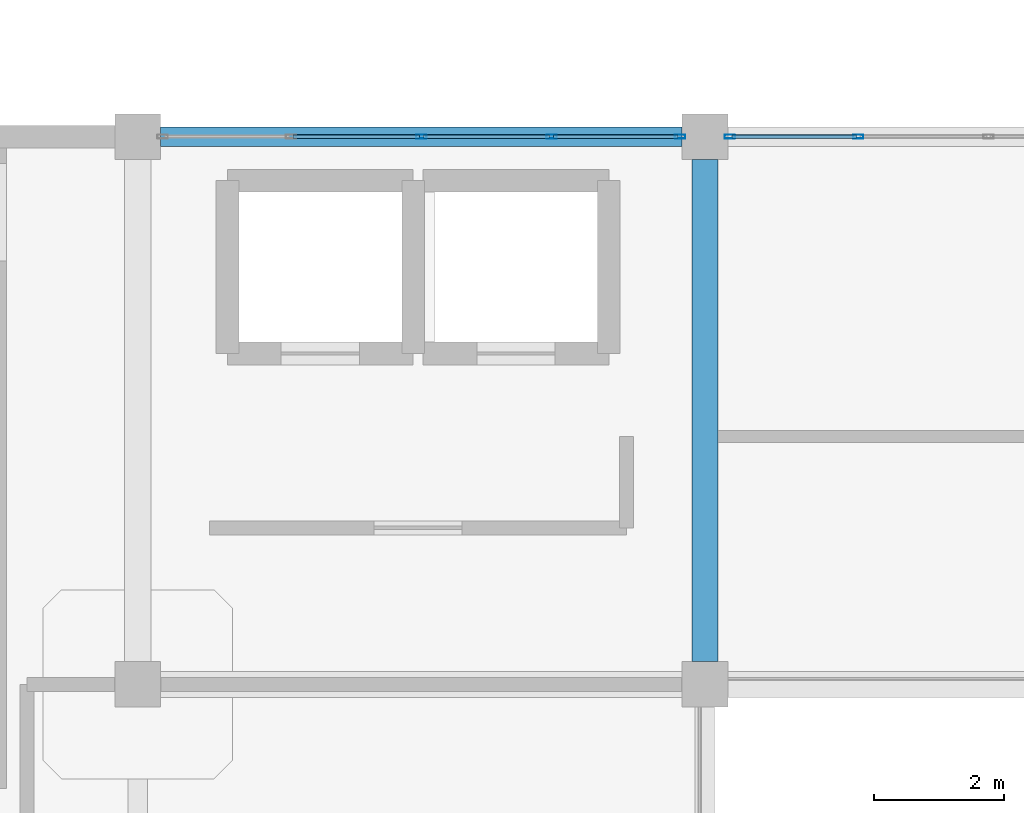
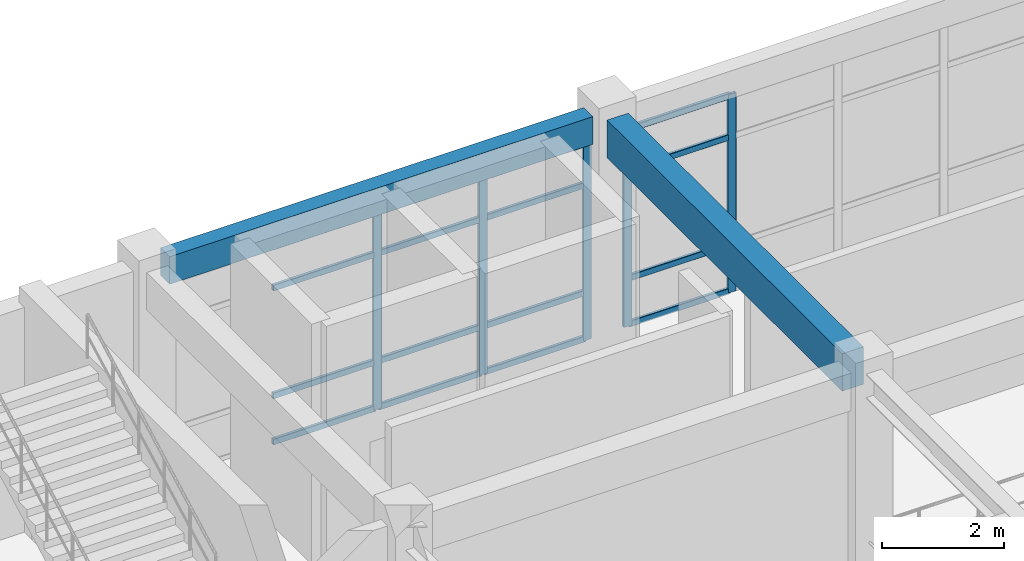
# One storey, part 33 of 76: 21 members, 2 beams, 2 elements without a shape of their own.
"""IFC4 building model written with IfcOpenShell, lengths in metres."""

from ifc_helpers import new_model, si_unit, derived_unit, direction, frame, origin, origin_2d, place, context, subcontext, project, spatial, rectangle, hollow_rectangle, extrude, material, layer, layer_set, material_profile, profile_set, type_object, element, aggregate, save


model = new_model("IFC4")

# Units and contexts
model_context = context("Model", 3, precision=1e-05, world=origin(), true_north=direction((0.0, 1.0)))
body_context = subcontext(model_context, "Body", "Model", "MODEL_VIEW")
ifc_project = project(units=[si_unit("LENGTHUNIT", "METRE"), si_unit("AREAUNIT", "SQUARE_METRE"), si_unit("VOLUMEUNIT", "CUBIC_METRE"), si_unit("PLANEANGLEUNIT", "RADIAN"), si_unit("MASSUNIT", "GRAM", prefix="KILO"), derived_unit("THERMALTRANSMITTANCEUNIT", [(si_unit("MASSUNIT", "GRAM", prefix="KILO"), 1), (si_unit("TIMEUNIT", "SECOND"), -3), (si_unit("THERMODYNAMICTEMPERATUREUNIT", "KELVIN"), -1)])], contexts=[model_context])

# Site, building, storey
site_placement = place(None, origin())
site = spatial("IfcSite", under=ifc_project, at=site_placement, CompositionType="ELEMENT")
building_placement = place(site_placement, origin())
building = spatial("IfcBuilding", under=site, at=building_placement, Name="Qinzheling Arcade Emporium", CompositionType="ELEMENT")
storey_placement = place(building_placement, frame((0.0, 0.0, 26.699951171875)))
storey = spatial("IfcBuildingStorey", under=building, at=storey_placement, Name="L06", CompositionType="ELEMENT", Elevation=26.699951171875)

# Curtain wall, members
ifc_material_1 = material(Name="Anodised aluminium and solar-control double glazing", Category="aluminium")
ifc_layer = layer(ifc_material_1, 0.159912109375, Name="Anodised aluminium and solar-control double glazing", Category="aluminium")
ifc_layer_set = layer_set([ifc_layer], Name="Anodised aluminium and solar-control double glazing")
curtain_wall_type = type_object("IfcCurtainWallType", Name="Atrium Clerestory Curtain Wall", PredefinedType="NOTDEFINED", material=ifc_layer_set)
curtain_wall_1_placement = place(storey_placement, origin())
curtain_wall_1 = element("IfcCurtainWall", 1, at=curtain_wall_1_placement, inside=storey, type_object=curtain_wall_type, Name="Curtain Wall CW-L06-366", PredefinedType="NOTDEFINED")
ifc_material_2 = material(Name="Anodised aluminium 6063-T6", Category="aluminium")
ifc_material_profile_1 = material_profile(ifc_material_2, hollow_rectangle(XDim=0.06005859375, YDim=0.159912109375, WallThickness=0.00390625, InnerFilletRadius=0.00390625, OuterFilletRadius=0.008056640625, at=origin_2d()), Name="RHS 160x60x4", Category="aluminium")
ifc_profile_set_1 = profile_set([ifc_material_profile_1], Name="Anodised aluminium 6063-T6")
member_type_1 = type_object("IfcMemberType", Name="Curtain Wall Mullion RHS160x60", PredefinedType="MULLION", material=ifc_profile_set_1)
member_1_placement = place(storey_placement, frame((47.85009765625, 73.800048828125, 0.0), z_axis=(0.0, 0.0, 1.0), x_axis=(0.0, 1.0, 0.0)))
member_1 = element("IfcMember", 2, at=member_1_placement, type_object=member_type_1, Name="CW03 mullion 3", PredefinedType="MULLION", context=body_context, shape_type="SweptSolid", body=[
    extrude(hollow_rectangle(XDim=0.06005859375, YDim=0.159912109375, WallThickness=0.00390625, InnerFilletRadius=0.00390625, OuterFilletRadius=0.008056640625, at=origin_2d()), origin(), (0.0, 0.0, 1.0), 3.955078125),
])
member_2_placement = place(storey_placement, frame((49.84912109375, 73.800048828125, 0.0), z_axis=(0.0, 0.0, 1.0), x_axis=(0.0, 1.0, 0.0)))
member_2 = element("IfcMember", 3, at=member_2_placement, type_object=member_type_1, Name="CW03 mullion 4", PredefinedType="MULLION", context=body_context, shape_type="SweptSolid", body=[
    extrude(hollow_rectangle(XDim=0.06005859375, YDim=0.159912109375, WallThickness=0.00390625, InnerFilletRadius=0.00390625, OuterFilletRadius=0.008056640625, at=origin_2d()), origin(), (0.0, 0.0, 1.0), 3.955078125),
])
member_3_placement = place(storey_placement, frame((51.818115234375, 73.800048828125, 0.0), z_axis=(0.0, 0.0, 1.0), x_axis=(0.0, 1.0, 0.0)))
member_3 = element("IfcMember", 4, at=member_3_placement, type_object=member_type_1, Name="CW03 mullion 5", PredefinedType="MULLION", context=body_context, shape_type="SweptSolid", body=[
    extrude(hollow_rectangle(XDim=0.06005859375, YDim=0.159912109375, WallThickness=0.00390625, InnerFilletRadius=0.00390625, OuterFilletRadius=0.008056640625, at=origin_2d()), origin(), (0.0, 0.0, 1.0), 3.955078125),
])

curtain_wall_2_placement = place(storey_placement, origin())
curtain_wall_2 = element("IfcCurtainWall", 5, at=curtain_wall_2_placement, inside=storey, type_object=curtain_wall_type, Name="Curtain Wall CW-L06-367", PredefinedType="NOTDEFINED")
member_4_placement = place(storey_placement, frame((52.58203125, 73.800048828125, 0.0), z_axis=(0.0, 0.0, 1.0), x_axis=(0.0, 1.0, 0.0)))
member_4 = element("IfcMember", 6, at=member_4_placement, type_object=member_type_1, Name="CW03 mullion 1", PredefinedType="MULLION", context=body_context, shape_type="SweptSolid", body=[
    extrude(hollow_rectangle(XDim=0.06005859375, YDim=0.159912109375, WallThickness=0.00390625, InnerFilletRadius=0.00390625, OuterFilletRadius=0.008056640625, at=origin_2d()), origin(), (0.0, 0.0, 1.0), 3.955078125),
])
member_5_placement = place(storey_placement, frame((54.551025390625, 73.800048828125, 0.0), z_axis=(0.0, 0.0, 1.0), x_axis=(0.0, 1.0, 0.0)))
member_5 = element("IfcMember", 7, at=member_5_placement, type_object=member_type_1, Name="CW03 mullion 2", PredefinedType="MULLION", context=body_context, shape_type="SweptSolid", body=[
    extrude(hollow_rectangle(XDim=0.06005859375, YDim=0.159912109375, WallThickness=0.00390625, InnerFilletRadius=0.00390625, OuterFilletRadius=0.008056640625, at=origin_2d()), origin(), (0.0, 0.0, 1.0), 3.955078125),
])

# Member
ifc_material_profile_2 = material_profile(ifc_material_2, hollow_rectangle(XDim=0.06005859375, YDim=0.1201171875, WallThickness=0.00390625, InnerFilletRadius=0.00390625, OuterFilletRadius=0.008056640625, at=origin_2d()), Name="RHS 120x60x4", Category="aluminium")
ifc_profile_set_2 = profile_set([ifc_material_profile_2], Name="Anodised aluminium 6063-T6")
member_type_2 = type_object("IfcMemberType", Name="Curtain Wall Transom RHS120x60", PredefinedType="USERDEFINED", material=ifc_profile_set_2)
member_6_placement = place(storey_placement, frame((45.881103515625, 73.800048828125, 0.030029296875), z_axis=(1.0, 0.0, 0.0), x_axis=(0.0, 1.0, 0.0)))
member_6 = element("IfcMember", 8, at=member_6_placement, type_object=member_type_2, Name="CW03 transom 2.1", ObjectType="TRANSOM", PredefinedType="USERDEFINED", context=body_context, shape_type="SweptSolid", body=[
    extrude(hollow_rectangle(XDim=0.06005859375, YDim=0.1201171875, WallThickness=0.00390625, InnerFilletRadius=0.00390625, OuterFilletRadius=0.008056640625, at=origin_2d()), origin(), (0.0, 0.0, 1.0), 1.93896484375),
])

member_7_placement = place(storey_placement, frame((45.881103515625, 73.800048828125, 0.949951171875), z_axis=(1.0, 0.0, 0.0), x_axis=(0.0, 1.0, 0.0)))
member_7 = element("IfcMember", 9, at=member_7_placement, type_object=member_type_2, Name="CW03 transom 2.2", ObjectType="TRANSOM", PredefinedType="USERDEFINED", context=body_context, shape_type="SweptSolid", body=[
    extrude(hollow_rectangle(XDim=0.06005859375, YDim=0.1201171875, WallThickness=0.00390625, InnerFilletRadius=0.00390625, OuterFilletRadius=0.008056640625, at=origin_2d()), origin(), (0.0, 0.0, 1.0), 1.93896484375),
])

member_8_placement = place(storey_placement, frame((45.881103515625, 73.800048828125, 3.10498046875), z_axis=(1.0, 0.0, 0.0), x_axis=(0.0, 1.0, 0.0)))
member_8 = element("IfcMember", 10, at=member_8_placement, type_object=member_type_2, Name="CW03 transom 2.3", ObjectType="TRANSOM", PredefinedType="USERDEFINED", context=body_context, shape_type="SweptSolid", body=[
    extrude(hollow_rectangle(XDim=0.06005859375, YDim=0.1201171875, WallThickness=0.00390625, InnerFilletRadius=0.00390625, OuterFilletRadius=0.008056640625, at=origin_2d()), origin(), (0.0, 0.0, 1.0), 1.93896484375),
])

member_9_placement = place(storey_placement, frame((45.881103515625, 73.800048828125, 3.925048828125), z_axis=(1.0, 0.0, 0.0), x_axis=(0.0, 1.0, 0.0)))
member_9 = element("IfcMember", 11, at=member_9_placement, type_object=member_type_2, Name="CW03 transom 2.4", ObjectType="TRANSOM", PredefinedType="USERDEFINED", context=body_context, shape_type="SweptSolid", body=[
    extrude(hollow_rectangle(XDim=0.06005859375, YDim=0.1201171875, WallThickness=0.00390625, InnerFilletRadius=0.00390625, OuterFilletRadius=0.008056640625, at=origin_2d()), origin(), (0.0, 0.0, 1.0), 1.93896484375),
])

member_10_placement = place(storey_placement, frame((47.8798828125, 73.800048828125, 0.030029296875), z_axis=(1.0, 0.0, 0.0), x_axis=(0.0, 1.0, 0.0)))
member_10 = element("IfcMember", 12, at=member_10_placement, type_object=member_type_2, Name="CW03 transom 3.1", ObjectType="TRANSOM", PredefinedType="USERDEFINED", context=body_context, shape_type="SweptSolid", body=[
    extrude(hollow_rectangle(XDim=0.06005859375, YDim=0.1201171875, WallThickness=0.00390625, InnerFilletRadius=0.00390625, OuterFilletRadius=0.008056640625, at=origin_2d()), origin(), (0.0, 0.0, 1.0), 1.939208984375),
])

member_11_placement = place(storey_placement, frame((47.8798828125, 73.800048828125, 0.949951171875), z_axis=(1.0, 0.0, 0.0), x_axis=(0.0, 1.0, 0.0)))
member_11 = element("IfcMember", 13, at=member_11_placement, type_object=member_type_2, Name="CW03 transom 3.2", ObjectType="TRANSOM", PredefinedType="USERDEFINED", context=body_context, shape_type="SweptSolid", body=[
    extrude(hollow_rectangle(XDim=0.06005859375, YDim=0.1201171875, WallThickness=0.00390625, InnerFilletRadius=0.00390625, OuterFilletRadius=0.008056640625, at=origin_2d()), origin(), (0.0, 0.0, 1.0), 1.939208984375),
])

member_12_placement = place(storey_placement, frame((47.8798828125, 73.800048828125, 3.10498046875), z_axis=(1.0, 0.0, 0.0), x_axis=(0.0, 1.0, 0.0)))
member_12 = element("IfcMember", 14, at=member_12_placement, type_object=member_type_2, Name="CW03 transom 3.3", ObjectType="TRANSOM", PredefinedType="USERDEFINED", context=body_context, shape_type="SweptSolid", body=[
    extrude(hollow_rectangle(XDim=0.06005859375, YDim=0.1201171875, WallThickness=0.00390625, InnerFilletRadius=0.00390625, OuterFilletRadius=0.008056640625, at=origin_2d()), origin(), (0.0, 0.0, 1.0), 1.939208984375),
])

member_13_placement = place(storey_placement, frame((47.8798828125, 73.800048828125, 3.925048828125), z_axis=(1.0, 0.0, 0.0), x_axis=(0.0, 1.0, 0.0)))
member_13 = element("IfcMember", 15, at=member_13_placement, type_object=member_type_2, Name="CW03 transom 3.4", ObjectType="TRANSOM", PredefinedType="USERDEFINED", context=body_context, shape_type="SweptSolid", body=[
    extrude(hollow_rectangle(XDim=0.06005859375, YDim=0.1201171875, WallThickness=0.00390625, InnerFilletRadius=0.00390625, OuterFilletRadius=0.008056640625, at=origin_2d()), origin(), (0.0, 0.0, 1.0), 1.939208984375),
])

member_14_placement = place(storey_placement, frame((49.87890625, 73.800048828125, 0.030029296875), z_axis=(1.0, 0.0, 0.0), x_axis=(0.0, 1.0, 0.0)))
member_14 = element("IfcMember", 16, at=member_14_placement, type_object=member_type_2, Name="CW03 transom 4.1", ObjectType="TRANSOM", PredefinedType="USERDEFINED", context=body_context, shape_type="SweptSolid", body=[
    extrude(hollow_rectangle(XDim=0.06005859375, YDim=0.1201171875, WallThickness=0.00390625, InnerFilletRadius=0.00390625, OuterFilletRadius=0.008056640625, at=origin_2d()), origin(), (0.0, 0.0, 1.0), 1.9091796875),
])

member_15_placement = place(storey_placement, frame((49.87890625, 73.800048828125, 0.949951171875), z_axis=(1.0, 0.0, 0.0), x_axis=(0.0, 1.0, 0.0)))
member_15 = element("IfcMember", 17, at=member_15_placement, type_object=member_type_2, Name="CW03 transom 4.2", ObjectType="TRANSOM", PredefinedType="USERDEFINED", context=body_context, shape_type="SweptSolid", body=[
    extrude(hollow_rectangle(XDim=0.06005859375, YDim=0.1201171875, WallThickness=0.00390625, InnerFilletRadius=0.00390625, OuterFilletRadius=0.008056640625, at=origin_2d()), origin(), (0.0, 0.0, 1.0), 1.9091796875),
])

member_16_placement = place(storey_placement, frame((49.87890625, 73.800048828125, 3.10498046875), z_axis=(1.0, 0.0, 0.0), x_axis=(0.0, 1.0, 0.0)))
member_16 = element("IfcMember", 18, at=member_16_placement, type_object=member_type_2, Name="CW03 transom 4.3", ObjectType="TRANSOM", PredefinedType="USERDEFINED", context=body_context, shape_type="SweptSolid", body=[
    extrude(hollow_rectangle(XDim=0.06005859375, YDim=0.1201171875, WallThickness=0.00390625, InnerFilletRadius=0.00390625, OuterFilletRadius=0.008056640625, at=origin_2d()), origin(), (0.0, 0.0, 1.0), 1.9091796875),
])

member_17_placement = place(storey_placement, frame((49.87890625, 73.800048828125, 3.925048828125), z_axis=(1.0, 0.0, 0.0), x_axis=(0.0, 1.0, 0.0)))
member_17 = element("IfcMember", 19, at=member_17_placement, type_object=member_type_2, Name="CW03 transom 4.4", ObjectType="TRANSOM", PredefinedType="USERDEFINED", context=body_context, shape_type="SweptSolid", body=[
    extrude(hollow_rectangle(XDim=0.06005859375, YDim=0.1201171875, WallThickness=0.00390625, InnerFilletRadius=0.00390625, OuterFilletRadius=0.008056640625, at=origin_2d()), origin(), (0.0, 0.0, 1.0), 1.9091796875),
])

aggregate(curtain_wall_1, [member_1, member_2, member_3, member_6, member_7, member_8, member_9, member_10, member_11, member_12, member_13, member_14, member_15, member_16, member_17])

member_18_placement = place(storey_placement, frame((52.612060546875, 73.800048828125, 0.030029296875), z_axis=(1.0, 0.0, 0.0), x_axis=(0.0, 1.0, 0.0)))
member_18 = element("IfcMember", 20, at=member_18_placement, type_object=member_type_2, Name="CW03 transom 1.1", ObjectType="TRANSOM", PredefinedType="USERDEFINED", context=body_context, shape_type="SweptSolid", body=[
    extrude(hollow_rectangle(XDim=0.06005859375, YDim=0.1201171875, WallThickness=0.00390625, InnerFilletRadius=0.00390625, OuterFilletRadius=0.008056640625, at=origin_2d()), origin(), (0.0, 0.0, 1.0), 1.908935546875),
])

member_19_placement = place(storey_placement, frame((52.612060546875, 73.800048828125, 0.949951171875), z_axis=(1.0, 0.0, 0.0), x_axis=(0.0, 1.0, 0.0)))
member_19 = element("IfcMember", 21, at=member_19_placement, type_object=member_type_2, Name="CW03 transom 1.2", ObjectType="TRANSOM", PredefinedType="USERDEFINED", context=body_context, shape_type="SweptSolid", body=[
    extrude(hollow_rectangle(XDim=0.06005859375, YDim=0.1201171875, WallThickness=0.00390625, InnerFilletRadius=0.00390625, OuterFilletRadius=0.008056640625, at=origin_2d()), origin(), (0.0, 0.0, 1.0), 1.908935546875),
])

member_20_placement = place(storey_placement, frame((52.612060546875, 73.800048828125, 3.10498046875), z_axis=(1.0, 0.0, 0.0), x_axis=(0.0, 1.0, 0.0)))
member_20 = element("IfcMember", 22, at=member_20_placement, type_object=member_type_2, Name="CW03 transom 1.3", ObjectType="TRANSOM", PredefinedType="USERDEFINED", context=body_context, shape_type="SweptSolid", body=[
    extrude(hollow_rectangle(XDim=0.06005859375, YDim=0.1201171875, WallThickness=0.00390625, InnerFilletRadius=0.00390625, OuterFilletRadius=0.008056640625, at=origin_2d()), origin(), (0.0, 0.0, 1.0), 1.908935546875),
])

member_21_placement = place(storey_placement, frame((52.612060546875, 73.800048828125, 3.925048828125), z_axis=(1.0, 0.0, 0.0), x_axis=(0.0, 1.0, 0.0)))
member_21 = element("IfcMember", 23, at=member_21_placement, type_object=member_type_2, Name="CW03 transom 1.4", ObjectType="TRANSOM", PredefinedType="USERDEFINED", context=body_context, shape_type="SweptSolid", body=[
    extrude(hollow_rectangle(XDim=0.06005859375, YDim=0.1201171875, WallThickness=0.00390625, InnerFilletRadius=0.00390625, OuterFilletRadius=0.008056640625, at=origin_2d()), origin(), (0.0, 0.0, 1.0), 1.908935546875),
])

aggregate(curtain_wall_2, [member_4, member_5, member_18, member_19, member_20, member_21])

# Beams
ifc_material_3 = material(Name="Concrete C40", Category="concrete")
ifc_material_profile_3 = material_profile(ifc_material_3, rectangle(XDim=0.39990234375, YDim=0.75, at=origin_2d()), Name="RC 400x750", Category="concrete")
ifc_profile_set_3 = profile_set([ifc_material_profile_3], Name="Concrete C40")
beam_type_1 = type_object("IfcBeamType", Name="RC Interior Tie Beam 400x750 C40", PredefinedType="BEAM", material=ifc_profile_set_3)
beam_1_placement = place(storey_placement, frame((52.199951171875, 65.75, 4.14501953125), z_axis=(0.0, 1.0, 0.0), x_axis=(-1.0, 0.0, 0.0)))
element("IfcBeam", 24, at=beam_1_placement, inside=storey, type_object=beam_type_1, Name="Beam BM-L06-Y-7-H", PredefinedType="BEAM", context=body_context, shape_type="SweptSolid", body=[
    extrude(rectangle(XDim=0.39990234375, YDim=0.75, at=origin_2d()), origin(), (0.0, 0.0, 1.0), 7.699951171875),
])
ifc_material_profile_4 = material_profile(ifc_material_3, rectangle(XDim=0.300048828125, YDim=0.550048828125, at=origin_2d()), Name="RC 300x550", Category="concrete")
ifc_profile_set_4 = profile_set([ifc_material_profile_4], Name="Concrete C40")
beam_type_2 = type_object("IfcBeamType", Name="RC Terrace Spandrel Beam 300x550 C40", PredefinedType="SPANDREL", material=ifc_profile_set_4)
beam_2_placement = place(storey_placement, frame((43.85009765625, 73.800048828125, 4.2451171875), z_axis=(1.0, 0.0, 0.0), x_axis=(0.0, 1.0, 0.0)))
element("IfcBeam", 25, at=beam_2_placement, inside=storey, type_object=beam_type_2, Name="Beam BM-L06-X-J-6", PredefinedType="SPANDREL", context=body_context, shape_type="SweptSolid", body=[
    extrude(rectangle(XDim=0.300048828125, YDim=0.550048828125, at=origin_2d()), origin(), (0.0, 0.0, 1.0), 8.0),
])

save(model, "model.ifc")
